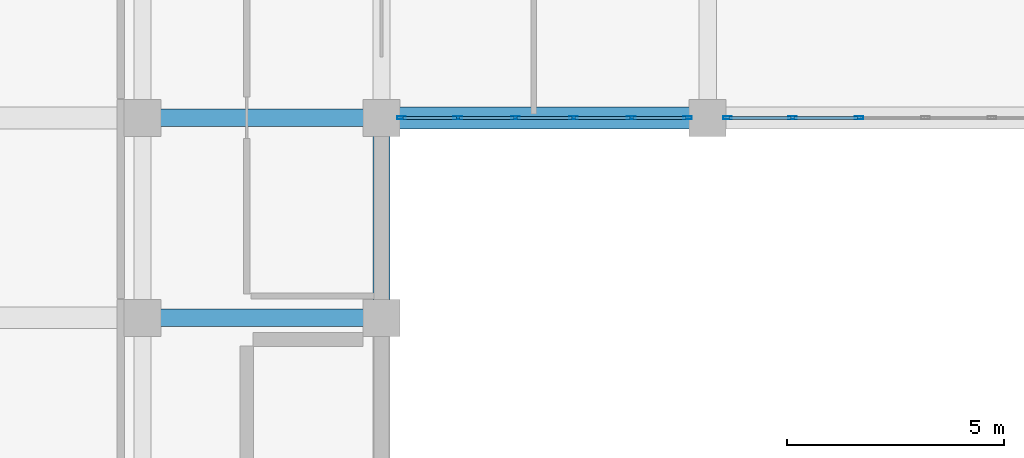
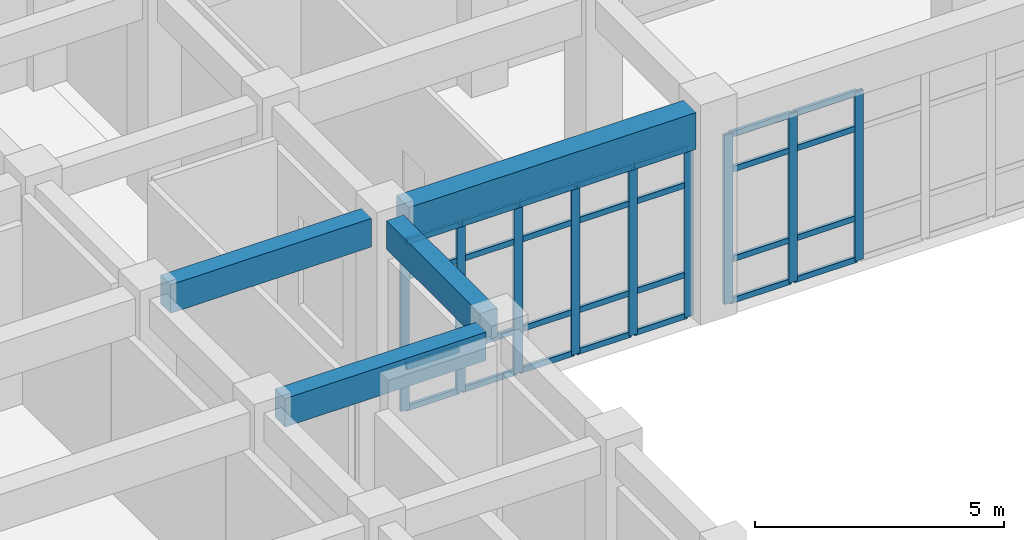
# One storey, part 18 of 84: 37 members, 4 beams, 2 elements without a shape of their own.
"""IFC4 building model written with IfcOpenShell, lengths in metres."""

from ifc_helpers import new_model, si_unit, direction, frame, origin, origin_2d, place, context, subcontext, project, spatial, rectangle, hollow_rectangle, extrude, material, layer, layer_set, material_profile, profile_set, type_object, element, aggregate, save


model = new_model("IFC4")

# Units and contexts
model_context = context("Model", 3, precision=1e-05, world=origin(), true_north=direction((0.0, 1.0)))
body_context = subcontext(model_context, "Body", "Model", "MODEL_VIEW")
ifc_project = project(units=[si_unit("LENGTHUNIT", "METRE"), si_unit("AREAUNIT", "SQUARE_METRE"), si_unit("VOLUMEUNIT", "CUBIC_METRE"), si_unit("PLANEANGLEUNIT", "RADIAN"), si_unit("MASSUNIT", "GRAM", prefix="KILO")], contexts=[model_context])

# Site, building, storey
site_placement = place(None, origin())
site = spatial("IfcSite", under=ifc_project, at=site_placement, CompositionType="ELEMENT")
building_placement = place(site_placement, origin())
building = spatial("IfcBuilding", under=site, at=building_placement, Name="Muzn Square Opera House", CompositionType="ELEMENT")
storey_placement = place(building_placement, origin())
storey = spatial("IfcBuildingStorey", under=building, at=storey_placement, Name="L00", CompositionType="ELEMENT", Elevation=0.0)

# Curtain wall, members
ifc_material_1 = material(Name="Low-E laminated acoustic double glazing", Category="glass")
ifc_layer_1 = layer(ifc_material_1, 0.159912109375, Name="Low-E laminated acoustic double glazing", Category="glass")
ifc_layer_set_1 = layer_set([ifc_layer_1], Name="Low-E laminated acoustic double glazing")
curtain_wall_type_1 = type_object("IfcCurtainWallType", Name="Glazed Curtain Wall WestCloisterN 6650x4150", PredefinedType="USERDEFINED", material=ifc_layer_set_1)
curtain_wall_1_placement = place(storey_placement, origin())
curtain_wall_1 = element("IfcCurtainWall", 1, at=curtain_wall_1_placement, inside=storey, type_object=curtain_wall_type_1, Name="Glazed Curtain Wall CW-L00-070", ObjectType="GLAZED CURTAIN WALL", PredefinedType="USERDEFINED")
ifc_material_2 = material(Name="Anodised bronze aluminium 6063-T6", Category="metal")
ifc_material_profile_1 = material_profile(ifc_material_2, hollow_rectangle(XDim=0.070068359375, YDim=0.199951171875, WallThickness=0.0048828125, at=origin_2d()), Name="ALU 200x70x5", Category="metal")
ifc_profile_set_1 = profile_set([ifc_material_profile_1], Name="Anodised bronze aluminium 6063-T6")
member_type_1 = type_object("IfcMemberType", Name="Curtain Wall Mullion 200x70", PredefinedType="MULLION", material=ifc_profile_set_1)
member_1_placement = place(storey_placement, frame((19.4599609375, 54.199951171875, 0.0), z_axis=(0.0, 0.0, 1.0), x_axis=(0.0, 1.0, 0.0)))
member_1 = element("IfcMember", 2, at=member_1_placement, type_object=member_type_1, Name="CW-WCN-66x41 mullion 1", PredefinedType="MULLION", context=body_context, shape_type="SweptSolid", body=[
    extrude(hollow_rectangle(XDim=0.070068359375, YDim=0.199951171875, WallThickness=0.0048828125, at=origin_2d()), origin(), (0.0, 0.0, 1.0), 4.14990234375),
])
member_2_placement = place(storey_placement, frame((20.7548828125, 54.199951171875, 0.0), z_axis=(0.0, 0.0, 1.0), x_axis=(0.0, 1.0, 0.0)))
member_2 = element("IfcMember", 3, at=member_2_placement, type_object=member_type_1, Name="CW-WCN-66x41 mullion 2", PredefinedType="MULLION", context=body_context, shape_type="SweptSolid", body=[
    extrude(hollow_rectangle(XDim=0.070068359375, YDim=0.199951171875, WallThickness=0.0048828125, at=origin_2d()), origin(), (0.0, 0.0, 1.0), 4.14990234375),
])
member_3_placement = place(storey_placement, frame((22.0849609375, 54.199951171875, 0.0), z_axis=(0.0, 0.0, 1.0), x_axis=(0.0, 1.0, 0.0)))
member_3 = element("IfcMember", 4, at=member_3_placement, type_object=member_type_1, Name="CW-WCN-66x41 mullion 3", PredefinedType="MULLION", context=body_context, shape_type="SweptSolid", body=[
    extrude(hollow_rectangle(XDim=0.070068359375, YDim=0.199951171875, WallThickness=0.0048828125, at=origin_2d()), origin(), (0.0, 0.0, 1.0), 4.14990234375),
])
member_4_placement = place(storey_placement, frame((23.4150390625, 54.199951171875, 0.0), z_axis=(0.0, 0.0, 1.0), x_axis=(0.0, 1.0, 0.0)))
member_4 = element("IfcMember", 5, at=member_4_placement, type_object=member_type_1, Name="CW-WCN-66x41 mullion 4", PredefinedType="MULLION", context=body_context, shape_type="SweptSolid", body=[
    extrude(hollow_rectangle(XDim=0.070068359375, YDim=0.199951171875, WallThickness=0.0048828125, at=origin_2d()), origin(), (0.0, 0.0, 1.0), 4.14990234375),
])
member_5_placement = place(storey_placement, frame((24.7451171875, 54.199951171875, 0.0), z_axis=(0.0, 0.0, 1.0), x_axis=(0.0, 1.0, 0.0)))
member_5 = element("IfcMember", 6, at=member_5_placement, type_object=member_type_1, Name="CW-WCN-66x41 mullion 5", PredefinedType="MULLION", context=body_context, shape_type="SweptSolid", body=[
    extrude(hollow_rectangle(XDim=0.070068359375, YDim=0.199951171875, WallThickness=0.0048828125, at=origin_2d()), origin(), (0.0, 0.0, 1.0), 4.14990234375),
])
member_6_placement = place(storey_placement, frame((26.0400390625, 54.199951171875, 0.0), z_axis=(0.0, 0.0, 1.0), x_axis=(0.0, 1.0, 0.0)))
member_6 = element("IfcMember", 7, at=member_6_placement, type_object=member_type_1, Name="CW-WCN-66x41 mullion 6", PredefinedType="MULLION", context=body_context, shape_type="SweptSolid", body=[
    extrude(hollow_rectangle(XDim=0.070068359375, YDim=0.199951171875, WallThickness=0.0048828125, at=origin_2d()), origin(), (0.0, 0.0, 1.0), 4.14990234375),
])

ifc_layer_2 = layer(ifc_material_1, 0.159912109375, Name="Low-E laminated acoustic double glazing", Category="glass")
ifc_layer_set_2 = layer_set([ifc_layer_2], Name="Low-E laminated acoustic double glazing")
curtain_wall_type_2 = type_object("IfcCurtainWallType", Name="Glazed Curtain Wall WestCloisterN 7650x4150", PredefinedType="USERDEFINED", material=ifc_layer_set_2)
curtain_wall_2_placement = place(storey_placement, origin())
curtain_wall_2 = element("IfcCurtainWall", 8, at=curtain_wall_2_placement, inside=storey, type_object=curtain_wall_type_2, Name="Glazed Curtain Wall CW-L00-072", ObjectType="GLAZED CURTAIN WALL", PredefinedType="USERDEFINED")
member_7_placement = place(storey_placement, frame((26.9599609375, 54.199951171875, 0.0), z_axis=(0.0, 0.0, 1.0), x_axis=(0.0, 1.0, 0.0)))
member_7 = element("IfcMember", 9, at=member_7_placement, type_object=member_type_1, Name="CW-WCN-76x41 mullion 1", PredefinedType="MULLION", context=body_context, shape_type="SweptSolid", body=[
    extrude(hollow_rectangle(XDim=0.070068359375, YDim=0.199951171875, WallThickness=0.0048828125, at=origin_2d()), origin(), (0.0, 0.0, 1.0), 4.14990234375),
])
member_8_placement = place(storey_placement, frame((28.455078125, 54.199951171875, 0.0), z_axis=(0.0, 0.0, 1.0), x_axis=(0.0, 1.0, 0.0)))
member_8 = element("IfcMember", 10, at=member_8_placement, type_object=member_type_1, Name="CW-WCN-76x41 mullion 2", PredefinedType="MULLION", context=body_context, shape_type="SweptSolid", body=[
    extrude(hollow_rectangle(XDim=0.070068359375, YDim=0.199951171875, WallThickness=0.0048828125, at=origin_2d()), origin(), (0.0, 0.0, 1.0), 4.14990234375),
])
member_9_placement = place(storey_placement, frame((29.985107421875, 54.199951171875, 0.0), z_axis=(0.0, 0.0, 1.0), x_axis=(0.0, 1.0, 0.0)))
member_9 = element("IfcMember", 11, at=member_9_placement, type_object=member_type_1, Name="CW-WCN-76x41 mullion 3", PredefinedType="MULLION", context=body_context, shape_type="SweptSolid", body=[
    extrude(hollow_rectangle(XDim=0.070068359375, YDim=0.199951171875, WallThickness=0.0048828125, at=origin_2d()), origin(), (0.0, 0.0, 1.0), 4.14990234375),
])

# Member
ifc_material_profile_2 = material_profile(ifc_material_2, hollow_rectangle(XDim=0.070068359375, YDim=0.139892578125, WallThickness=0.00390625, at=origin_2d()), Name="ALU 140x70x4", Category="metal")
ifc_profile_set_2 = profile_set([ifc_material_profile_2], Name="Anodised bronze aluminium 6063-T6")
member_type_2 = type_object("IfcMemberType", Name="Curtain Wall Transom 140x70", PredefinedType="USERDEFINED", material=ifc_profile_set_2)
member_10_placement = place(storey_placement, frame((19.4951171875, 54.199951171875, 0.034912109375), z_axis=(1.0, 0.0, 0.0), x_axis=(0.0, 1.0, 0.0)))
member_10 = element("IfcMember", 12, at=member_10_placement, type_object=member_type_2, Name="CW-WCN-66x41 transom 1.1", ObjectType="TRANSOM", PredefinedType="USERDEFINED", context=body_context, shape_type="SweptSolid", body=[
    extrude(hollow_rectangle(XDim=0.070068359375, YDim=0.139892578125, WallThickness=0.00390625, at=origin_2d()), origin(), (0.0, 0.0, 1.0), 1.224853515625),
])

member_11_placement = place(storey_placement, frame((19.4951171875, 54.199951171875, 1.050048828125), z_axis=(1.0, 0.0, 0.0), x_axis=(0.0, 1.0, 0.0)))
member_11 = element("IfcMember", 13, at=member_11_placement, type_object=member_type_2, Name="CW-WCN-66x41 transom 1.2", ObjectType="TRANSOM", PredefinedType="USERDEFINED", context=body_context, shape_type="SweptSolid", body=[
    extrude(hollow_rectangle(XDim=0.070068359375, YDim=0.139892578125, WallThickness=0.00390625, at=origin_2d()), origin(), (0.0, 0.0, 1.0), 1.224853515625),
])

member_12_placement = place(storey_placement, frame((19.4951171875, 54.199951171875, 3.25), z_axis=(1.0, 0.0, 0.0), x_axis=(0.0, 1.0, 0.0)))
member_12 = element("IfcMember", 14, at=member_12_placement, type_object=member_type_2, Name="CW-WCN-66x41 transom 1.3", ObjectType="TRANSOM", PredefinedType="USERDEFINED", context=body_context, shape_type="SweptSolid", body=[
    extrude(hollow_rectangle(XDim=0.070068359375, YDim=0.139892578125, WallThickness=0.00390625, at=origin_2d()), origin(), (0.0, 0.0, 1.0), 1.224853515625),
])

member_13_placement = place(storey_placement, frame((19.4951171875, 54.199951171875, 4.114990234375), z_axis=(1.0, 0.0, 0.0), x_axis=(0.0, 1.0, 0.0)))
member_13 = element("IfcMember", 15, at=member_13_placement, type_object=member_type_2, Name="CW-WCN-66x41 transom 1.4", ObjectType="TRANSOM", PredefinedType="USERDEFINED", context=body_context, shape_type="SweptSolid", body=[
    extrude(hollow_rectangle(XDim=0.070068359375, YDim=0.139892578125, WallThickness=0.00390625, at=origin_2d()), origin(), (0.0, 0.0, 1.0), 1.224853515625),
])

member_14_placement = place(storey_placement, frame((20.7900390625, 54.199951171875, 0.034912109375), z_axis=(1.0, 0.0, 0.0), x_axis=(0.0, 1.0, 0.0)))
member_14 = element("IfcMember", 16, at=member_14_placement, type_object=member_type_2, Name="CW-WCN-66x41 transom 2.1", ObjectType="TRANSOM", PredefinedType="USERDEFINED", context=body_context, shape_type="SweptSolid", body=[
    extrude(hollow_rectangle(XDim=0.070068359375, YDim=0.139892578125, WallThickness=0.00390625, at=origin_2d()), origin(), (0.0, 0.0, 1.0), 1.260009765625),
])

member_15_placement = place(storey_placement, frame((20.7900390625, 54.199951171875, 1.050048828125), z_axis=(1.0, 0.0, 0.0), x_axis=(0.0, 1.0, 0.0)))
member_15 = element("IfcMember", 17, at=member_15_placement, type_object=member_type_2, Name="CW-WCN-66x41 transom 2.2", ObjectType="TRANSOM", PredefinedType="USERDEFINED", context=body_context, shape_type="SweptSolid", body=[
    extrude(hollow_rectangle(XDim=0.070068359375, YDim=0.139892578125, WallThickness=0.00390625, at=origin_2d()), origin(), (0.0, 0.0, 1.0), 1.260009765625),
])

member_16_placement = place(storey_placement, frame((20.7900390625, 54.199951171875, 3.25), z_axis=(1.0, 0.0, 0.0), x_axis=(0.0, 1.0, 0.0)))
member_16 = element("IfcMember", 18, at=member_16_placement, type_object=member_type_2, Name="CW-WCN-66x41 transom 2.3", ObjectType="TRANSOM", PredefinedType="USERDEFINED", context=body_context, shape_type="SweptSolid", body=[
    extrude(hollow_rectangle(XDim=0.070068359375, YDim=0.139892578125, WallThickness=0.00390625, at=origin_2d()), origin(), (0.0, 0.0, 1.0), 1.260009765625),
])

member_17_placement = place(storey_placement, frame((20.7900390625, 54.199951171875, 4.114990234375), z_axis=(1.0, 0.0, 0.0), x_axis=(0.0, 1.0, 0.0)))
member_17 = element("IfcMember", 19, at=member_17_placement, type_object=member_type_2, Name="CW-WCN-66x41 transom 2.4", ObjectType="TRANSOM", PredefinedType="USERDEFINED", context=body_context, shape_type="SweptSolid", body=[
    extrude(hollow_rectangle(XDim=0.070068359375, YDim=0.139892578125, WallThickness=0.00390625, at=origin_2d()), origin(), (0.0, 0.0, 1.0), 1.260009765625),
])

member_18_placement = place(storey_placement, frame((22.1201171875, 54.199951171875, 0.034912109375), z_axis=(1.0, 0.0, 0.0), x_axis=(0.0, 1.0, 0.0)))
member_18 = element("IfcMember", 20, at=member_18_placement, type_object=member_type_2, Name="CW-WCN-66x41 transom 3.1", ObjectType="TRANSOM", PredefinedType="USERDEFINED", context=body_context, shape_type="SweptSolid", body=[
    extrude(hollow_rectangle(XDim=0.070068359375, YDim=0.139892578125, WallThickness=0.00390625, at=origin_2d()), origin(), (0.0, 0.0, 1.0), 1.259765625),
])

member_19_placement = place(storey_placement, frame((22.1201171875, 54.199951171875, 1.050048828125), z_axis=(1.0, 0.0, 0.0), x_axis=(0.0, 1.0, 0.0)))
member_19 = element("IfcMember", 21, at=member_19_placement, type_object=member_type_2, Name="CW-WCN-66x41 transom 3.2", ObjectType="TRANSOM", PredefinedType="USERDEFINED", context=body_context, shape_type="SweptSolid", body=[
    extrude(hollow_rectangle(XDim=0.070068359375, YDim=0.139892578125, WallThickness=0.00390625, at=origin_2d()), origin(), (0.0, 0.0, 1.0), 1.259765625),
])

member_20_placement = place(storey_placement, frame((22.1201171875, 54.199951171875, 3.25), z_axis=(1.0, 0.0, 0.0), x_axis=(0.0, 1.0, 0.0)))
member_20 = element("IfcMember", 22, at=member_20_placement, type_object=member_type_2, Name="CW-WCN-66x41 transom 3.3", ObjectType="TRANSOM", PredefinedType="USERDEFINED", context=body_context, shape_type="SweptSolid", body=[
    extrude(hollow_rectangle(XDim=0.070068359375, YDim=0.139892578125, WallThickness=0.00390625, at=origin_2d()), origin(), (0.0, 0.0, 1.0), 1.259765625),
])

member_21_placement = place(storey_placement, frame((22.1201171875, 54.199951171875, 4.114990234375), z_axis=(1.0, 0.0, 0.0), x_axis=(0.0, 1.0, 0.0)))
member_21 = element("IfcMember", 23, at=member_21_placement, type_object=member_type_2, Name="CW-WCN-66x41 transom 3.4", ObjectType="TRANSOM", PredefinedType="USERDEFINED", context=body_context, shape_type="SweptSolid", body=[
    extrude(hollow_rectangle(XDim=0.070068359375, YDim=0.139892578125, WallThickness=0.00390625, at=origin_2d()), origin(), (0.0, 0.0, 1.0), 1.259765625),
])

member_22_placement = place(storey_placement, frame((23.449951171875, 54.199951171875, 0.034912109375), z_axis=(1.0, 0.0, 0.0), x_axis=(0.0, 1.0, 0.0)))
member_22 = element("IfcMember", 24, at=member_22_placement, type_object=member_type_2, Name="CW-WCN-66x41 transom 4.1", ObjectType="TRANSOM", PredefinedType="USERDEFINED", context=body_context, shape_type="SweptSolid", body=[
    extrude(hollow_rectangle(XDim=0.070068359375, YDim=0.139892578125, WallThickness=0.00390625, at=origin_2d()), origin(), (0.0, 0.0, 1.0), 1.260009765625),
])

member_23_placement = place(storey_placement, frame((23.449951171875, 54.199951171875, 1.050048828125), z_axis=(1.0, 0.0, 0.0), x_axis=(0.0, 1.0, 0.0)))
member_23 = element("IfcMember", 25, at=member_23_placement, type_object=member_type_2, Name="CW-WCN-66x41 transom 4.2", ObjectType="TRANSOM", PredefinedType="USERDEFINED", context=body_context, shape_type="SweptSolid", body=[
    extrude(hollow_rectangle(XDim=0.070068359375, YDim=0.139892578125, WallThickness=0.00390625, at=origin_2d()), origin(), (0.0, 0.0, 1.0), 1.260009765625),
])

member_24_placement = place(storey_placement, frame((23.449951171875, 54.199951171875, 3.25), z_axis=(1.0, 0.0, 0.0), x_axis=(0.0, 1.0, 0.0)))
member_24 = element("IfcMember", 26, at=member_24_placement, type_object=member_type_2, Name="CW-WCN-66x41 transom 4.3", ObjectType="TRANSOM", PredefinedType="USERDEFINED", context=body_context, shape_type="SweptSolid", body=[
    extrude(hollow_rectangle(XDim=0.070068359375, YDim=0.139892578125, WallThickness=0.00390625, at=origin_2d()), origin(), (0.0, 0.0, 1.0), 1.260009765625),
])

member_25_placement = place(storey_placement, frame((23.449951171875, 54.199951171875, 4.114990234375), z_axis=(1.0, 0.0, 0.0), x_axis=(0.0, 1.0, 0.0)))
member_25 = element("IfcMember", 27, at=member_25_placement, type_object=member_type_2, Name="CW-WCN-66x41 transom 4.4", ObjectType="TRANSOM", PredefinedType="USERDEFINED", context=body_context, shape_type="SweptSolid", body=[
    extrude(hollow_rectangle(XDim=0.070068359375, YDim=0.139892578125, WallThickness=0.00390625, at=origin_2d()), origin(), (0.0, 0.0, 1.0), 1.260009765625),
])

member_26_placement = place(storey_placement, frame((24.780029296875, 54.199951171875, 0.034912109375), z_axis=(1.0, 0.0, 0.0), x_axis=(0.0, 1.0, 0.0)))
member_26 = element("IfcMember", 28, at=member_26_placement, type_object=member_type_2, Name="CW-WCN-66x41 transom 5.1", ObjectType="TRANSOM", PredefinedType="USERDEFINED", context=body_context, shape_type="SweptSolid", body=[
    extrude(hollow_rectangle(XDim=0.070068359375, YDim=0.139892578125, WallThickness=0.00390625, at=origin_2d()), origin(), (0.0, 0.0, 1.0), 1.224853515625),
])

member_27_placement = place(storey_placement, frame((24.780029296875, 54.199951171875, 1.050048828125), z_axis=(1.0, 0.0, 0.0), x_axis=(0.0, 1.0, 0.0)))
member_27 = element("IfcMember", 29, at=member_27_placement, type_object=member_type_2, Name="CW-WCN-66x41 transom 5.2", ObjectType="TRANSOM", PredefinedType="USERDEFINED", context=body_context, shape_type="SweptSolid", body=[
    extrude(hollow_rectangle(XDim=0.070068359375, YDim=0.139892578125, WallThickness=0.00390625, at=origin_2d()), origin(), (0.0, 0.0, 1.0), 1.224853515625),
])

member_28_placement = place(storey_placement, frame((24.780029296875, 54.199951171875, 3.25), z_axis=(1.0, 0.0, 0.0), x_axis=(0.0, 1.0, 0.0)))
member_28 = element("IfcMember", 30, at=member_28_placement, type_object=member_type_2, Name="CW-WCN-66x41 transom 5.3", ObjectType="TRANSOM", PredefinedType="USERDEFINED", context=body_context, shape_type="SweptSolid", body=[
    extrude(hollow_rectangle(XDim=0.070068359375, YDim=0.139892578125, WallThickness=0.00390625, at=origin_2d()), origin(), (0.0, 0.0, 1.0), 1.224853515625),
])

member_29_placement = place(storey_placement, frame((24.780029296875, 54.199951171875, 4.114990234375), z_axis=(1.0, 0.0, 0.0), x_axis=(0.0, 1.0, 0.0)))
member_29 = element("IfcMember", 31, at=member_29_placement, type_object=member_type_2, Name="CW-WCN-66x41 transom 5.4", ObjectType="TRANSOM", PredefinedType="USERDEFINED", context=body_context, shape_type="SweptSolid", body=[
    extrude(hollow_rectangle(XDim=0.070068359375, YDim=0.139892578125, WallThickness=0.00390625, at=origin_2d()), origin(), (0.0, 0.0, 1.0), 1.224853515625),
])

aggregate(curtain_wall_1, [member_1, member_2, member_3, member_4, member_5, member_6, member_10, member_11, member_12, member_13, member_14, member_15, member_16, member_17, member_18, member_19, member_20, member_21, member_22, member_23, member_24, member_25, member_26, member_27, member_28, member_29])

member_30_placement = place(storey_placement, frame((26.9951171875, 54.199951171875, 0.034912109375), z_axis=(1.0, 0.0, 0.0), x_axis=(0.0, 1.0, 0.0)))
member_30 = element("IfcMember", 32, at=member_30_placement, type_object=member_type_2, Name="CW-WCN-76x41 transom 1.1", ObjectType="TRANSOM", PredefinedType="USERDEFINED", context=body_context, shape_type="SweptSolid", body=[
    extrude(hollow_rectangle(XDim=0.070068359375, YDim=0.139892578125, WallThickness=0.00390625, at=origin_2d()), origin(), (0.0, 0.0, 1.0), 1.4248046875),
])

member_31_placement = place(storey_placement, frame((26.9951171875, 54.199951171875, 1.050048828125), z_axis=(1.0, 0.0, 0.0), x_axis=(0.0, 1.0, 0.0)))
member_31 = element("IfcMember", 33, at=member_31_placement, type_object=member_type_2, Name="CW-WCN-76x41 transom 1.2", ObjectType="TRANSOM", PredefinedType="USERDEFINED", context=body_context, shape_type="SweptSolid", body=[
    extrude(hollow_rectangle(XDim=0.070068359375, YDim=0.139892578125, WallThickness=0.00390625, at=origin_2d()), origin(), (0.0, 0.0, 1.0), 1.4248046875),
])

member_32_placement = place(storey_placement, frame((26.9951171875, 54.199951171875, 3.25), z_axis=(1.0, 0.0, 0.0), x_axis=(0.0, 1.0, 0.0)))
member_32 = element("IfcMember", 34, at=member_32_placement, type_object=member_type_2, Name="CW-WCN-76x41 transom 1.3", ObjectType="TRANSOM", PredefinedType="USERDEFINED", context=body_context, shape_type="SweptSolid", body=[
    extrude(hollow_rectangle(XDim=0.070068359375, YDim=0.139892578125, WallThickness=0.00390625, at=origin_2d()), origin(), (0.0, 0.0, 1.0), 1.4248046875),
])

member_33_placement = place(storey_placement, frame((26.9951171875, 54.199951171875, 4.114990234375), z_axis=(1.0, 0.0, 0.0), x_axis=(0.0, 1.0, 0.0)))
member_33 = element("IfcMember", 35, at=member_33_placement, type_object=member_type_2, Name="CW-WCN-76x41 transom 1.4", ObjectType="TRANSOM", PredefinedType="USERDEFINED", context=body_context, shape_type="SweptSolid", body=[
    extrude(hollow_rectangle(XDim=0.070068359375, YDim=0.139892578125, WallThickness=0.00390625, at=origin_2d()), origin(), (0.0, 0.0, 1.0), 1.4248046875),
])

member_34_placement = place(storey_placement, frame((28.489990234375, 54.199951171875, 0.034912109375), z_axis=(1.0, 0.0, 0.0), x_axis=(0.0, 1.0, 0.0)))
member_34 = element("IfcMember", 36, at=member_34_placement, type_object=member_type_2, Name="CW-WCN-76x41 transom 2.1", ObjectType="TRANSOM", PredefinedType="USERDEFINED", context=body_context, shape_type="SweptSolid", body=[
    extrude(hollow_rectangle(XDim=0.070068359375, YDim=0.139892578125, WallThickness=0.00390625, at=origin_2d()), origin(), (0.0, 0.0, 1.0), 1.4599609375),
])

member_35_placement = place(storey_placement, frame((28.489990234375, 54.199951171875, 1.050048828125), z_axis=(1.0, 0.0, 0.0), x_axis=(0.0, 1.0, 0.0)))
member_35 = element("IfcMember", 37, at=member_35_placement, type_object=member_type_2, Name="CW-WCN-76x41 transom 2.2", ObjectType="TRANSOM", PredefinedType="USERDEFINED", context=body_context, shape_type="SweptSolid", body=[
    extrude(hollow_rectangle(XDim=0.070068359375, YDim=0.139892578125, WallThickness=0.00390625, at=origin_2d()), origin(), (0.0, 0.0, 1.0), 1.4599609375),
])

member_36_placement = place(storey_placement, frame((28.489990234375, 54.199951171875, 3.25), z_axis=(1.0, 0.0, 0.0), x_axis=(0.0, 1.0, 0.0)))
member_36 = element("IfcMember", 38, at=member_36_placement, type_object=member_type_2, Name="CW-WCN-76x41 transom 2.3", ObjectType="TRANSOM", PredefinedType="USERDEFINED", context=body_context, shape_type="SweptSolid", body=[
    extrude(hollow_rectangle(XDim=0.070068359375, YDim=0.139892578125, WallThickness=0.00390625, at=origin_2d()), origin(), (0.0, 0.0, 1.0), 1.4599609375),
])

member_37_placement = place(storey_placement, frame((28.489990234375, 54.199951171875, 4.114990234375), z_axis=(1.0, 0.0, 0.0), x_axis=(0.0, 1.0, 0.0)))
member_37 = element("IfcMember", 39, at=member_37_placement, type_object=member_type_2, Name="CW-WCN-76x41 transom 2.4", ObjectType="TRANSOM", PredefinedType="USERDEFINED", context=body_context, shape_type="SweptSolid", body=[
    extrude(hollow_rectangle(XDim=0.070068359375, YDim=0.139892578125, WallThickness=0.00390625, at=origin_2d()), origin(), (0.0, 0.0, 1.0), 1.4599609375),
])

aggregate(curtain_wall_2, [member_7, member_8, member_9, member_30, member_31, member_32, member_33, member_34, member_35, member_36, member_37])

# Beams
ifc_material_3 = material(Name="Concrete C40/50", Category="concrete")
ifc_material_profile_3 = material_profile(ifc_material_3, rectangle(XDim=0.39990234375, YDim=0.699951171875, at=origin_2d()), Name="RCB 400x700", Category="concrete")
ifc_profile_set_3 = profile_set([ifc_material_profile_3], Name="Concrete C40/50")
beam_type_1 = type_object("IfcBeamType", Name="Primary Girder 400x700", PredefinedType="BEAM", material=ifc_profile_set_3)
for number, where, z_axis, x_axis, name in (
    (40, (13.9169921875, 49.60009765625, 4.77001953125), (1.0, 0.0, 0.0), (0.0, 1.0, 0.0), "Primary Girder BM-L00-BM-PG700-139_496_186_496-834"),
    (41, (13.9169921875, 54.199951171875, 4.77001953125), (1.0, 0.0, 0.0), (0.0, 1.0, 0.0), "Primary Girder BM-L00-BM-PG700-139_542_186_542-840"),
):
    element("IfcBeam", number, at=place(storey_placement, frame(where, z_axis=z_axis, x_axis=x_axis)), inside=storey, type_object=beam_type_1, Name=name, PredefinedType="BEAM", context=body_context, shape_type="SweptSolid", body=[
        extrude(rectangle(XDim=0.39990234375, YDim=0.699951171875, at=origin_2d()), origin(), (0.0, 0.0, 1.0), 4.666015625),
    ])
beam_1_placement = place(storey_placement, frame((19.0, 50.01708984375, 4.77001953125), z_axis=(0.0, 1.0, 0.0), x_axis=(-1.0, 0.0, 0.0)))
element("IfcBeam", 42, at=beam_1_placement, inside=storey, type_object=beam_type_1, Name="Primary Girder BM-L00-BM-PG700-190_500_190_538-986", PredefinedType="BEAM", context=body_context, shape_type="SweptSolid", body=[
    extrude(rectangle(XDim=0.39990234375, YDim=0.699951171875, at=origin_2d()), origin(), (0.0, 0.0, 1.0), 3.765869140625),
])
ifc_material_profile_4 = material_profile(ifc_material_3, rectangle(XDim=0.5, YDim=0.89990234375, at=origin_2d()), Name="RCB 500x900", Category="concrete")
ifc_profile_set_4 = profile_set([ifc_material_profile_4], Name="Concrete C40/50")
beam_type_2 = type_object("IfcBeamType", Name="Primary Girder 500x900", PredefinedType="BEAM", material=ifc_profile_set_4)
beam_2_placement = place(storey_placement, frame((19.4169921875, 54.199951171875, 4.669921875), z_axis=(1.0, 0.0, 0.0), x_axis=(0.0, 1.0, 0.0)))
element("IfcBeam", 43, at=beam_2_placement, inside=storey, type_object=beam_type_2, Name="Primary Girder BM-L00-BM-PG900-194_542_261_542-841", PredefinedType="BEAM", context=body_context, shape_type="SweptSolid", body=[
    extrude(rectangle(XDim=0.5, YDim=0.89990234375, at=origin_2d()), origin(), (0.0, 0.0, 1.0), 6.666015625),
])

save(model, "model.ifc")
